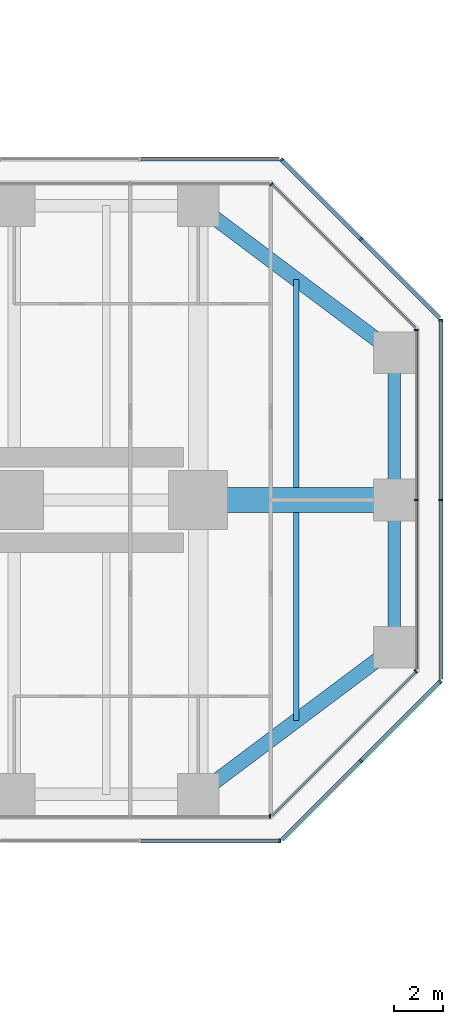
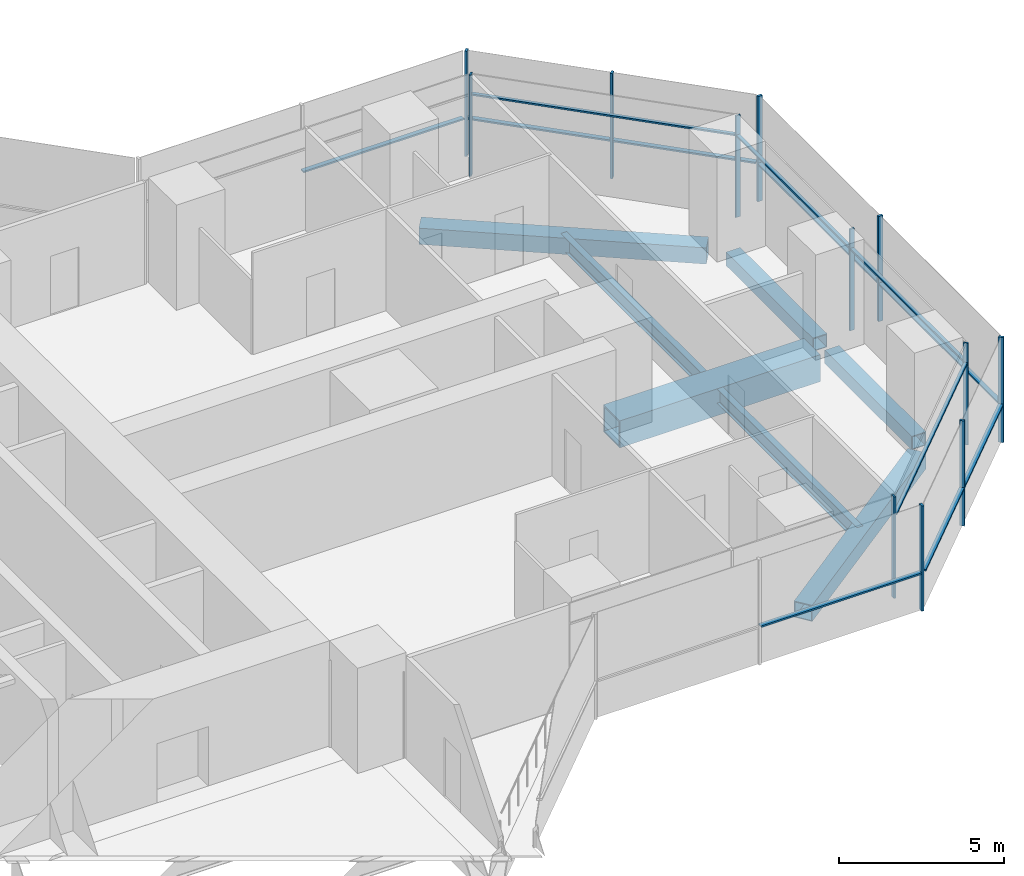
# One storey, part 11 of 20: 24 members, 7 beams, 9 elements without a shape of their own.
"""IFC4 building model written with IfcOpenShell, lengths in metres."""

from ifc_helpers import new_model, si_unit, direction, frame, origin, origin_2d, place, context, subcontext, project, spatial, rectangle, hollow_rectangle, i_section, extrude, material, material_profile, profile_set, type_object, element, aggregate, save


model = new_model("IFC4")

# Units and contexts
model_context = context("Model", 3, precision=1e-05, world=origin(), true_north=direction((0.0, 1.0)))
body_context = subcontext(model_context, "Body", "Model", "MODEL_VIEW")
ifc_project = project(units=[si_unit("LENGTHUNIT", "METRE"), si_unit("AREAUNIT", "SQUARE_METRE"), si_unit("VOLUMEUNIT", "CUBIC_METRE"), si_unit("PLANEANGLEUNIT", "RADIAN"), si_unit("MASSUNIT", "GRAM", prefix="KILO")], contexts=[model_context])

# Site, building, storey
site_placement = place(None, origin())
site = spatial("IfcSite", under=ifc_project, at=site_placement, CompositionType="ELEMENT")
building_placement = place(site_placement, origin())
building = spatial("IfcBuilding", under=site, at=building_placement, Name="Mizan Broadcast Tower", CompositionType="ELEMENT")
storey_placement = place(building_placement, frame((0.0, 0.0, 135.89990234375)))
storey = spatial("IfcBuildingStorey", under=building, at=storey_placement, Name="L30", CompositionType="ELEMENT", Elevation=135.89990234375)

# Beams
ifc_material_1 = material(Name="Steel S355", Category="steel")
ifc_material_profile_1 = material_profile(ifc_material_1, hollow_rectangle(XDim=0.5, YDim=0.5, WallThickness=0.030029296875, at=origin_2d()), Name="BOX 500x500x30")
ifc_profile_set_1 = profile_set([ifc_material_profile_1], Name="Steel S355")
beam_type_1 = type_object("IfcBeamType", Name="EDGE BEAM BOX 500x500x30", PredefinedType="SPANDREL", material=ifc_profile_set_1)
for number, where, z_axis, x_axis, name in (
    (1, (35.0, -5.639892578125, -0.3798828125), (0.0, 1.0, 0.0), (-1.0, 0.0, 0.0), "Edge beam BOX 500x500x30 L30 east arm"),
    (2, (35.0, 5.639892578125, -0.3798828125), (0.0, -1.0, 0.0), (1.0, 0.0, 0.0), "Edge beam BOX 500x500x30 L30 east arm"),
):
    element("IfcBeam", number, at=place(storey_placement, frame(where, z_axis=z_axis, x_axis=x_axis)), inside=storey, type_object=beam_type_1, Name=name, PredefinedType="SPANDREL", context=body_context, shape_type="SweptSolid", body=[
        extrude(hollow_rectangle(XDim=0.5, YDim=0.5, WallThickness=0.030029296875, at=origin_2d()), origin(), (0.0, 0.0, 1.0), 5.27978515625),
    ])
ifc_material_2 = material(Name="Steel S355", Category="steel")
ifc_material_profile_2 = material_profile(ifc_material_2, hollow_rectangle(XDim=0.60009765625, YDim=0.60009765625, WallThickness=0.030029296875, at=origin_2d()), Name="BOX 600x600x30")
ifc_profile_set_2 = profile_set([ifc_material_profile_2], Name="Steel S355")
beam_type_2 = type_object("IfcBeamType", Name="EDGE BEAM BOX 600x600x30", PredefinedType="SPANDREL", material=ifc_profile_set_2)
for number, where, z_axis, x_axis, name in (
    (3, (27.47998046875, -11.639892578125, -0.429931640625), (0.800013316712, 0.599982243973, 0.0), (-0.599982243973, 0.800013316712, 0.0), "Edge beam BOX 600x600x30 L30 east arm"),
    (4, (27.47998046875, 11.639892578125, -0.429931640625), (0.800013316712, -0.599982243973, 0.0), (0.599982243973, 0.800013316712, 0.0), "Edge beam BOX 600x600x30 L30 east arm"),
):
    element("IfcBeam", number, at=place(storey_placement, frame(where, z_axis=z_axis, x_axis=x_axis)), inside=storey, type_object=beam_type_2, Name=name, PredefinedType="SPANDREL", context=body_context, shape_type="SweptSolid", body=[
        extrude(hollow_rectangle(XDim=0.60009765625, YDim=0.60009765625, WallThickness=0.030029296875, at=origin_2d()), origin(), (0.0, 0.0, 1.0), 8.7998046875),
    ])
ifc_material_3 = material(Name="Steel S460", Category="steel")
ifc_material_profile_3 = material_profile(ifc_material_3, hollow_rectangle(XDim=1.0, YDim=1.0, WallThickness=0.06005859375, at=origin_2d()), Name="BOX 1000x1000x60")
ifc_profile_set_3 = profile_set([ifc_material_profile_3], Name="Steel S460")
beam_type_3 = type_object("IfcBeamType", Name="GIRDER BOX 1000x1000x60", PredefinedType="BEAM", material=ifc_profile_set_3)
beam_placement = place(storey_placement, frame((27.47998046875, 0.0, -0.6298828125), z_axis=(1.0, 0.0, 0.0), x_axis=(0.0, 1.0, 0.0)))
element("IfcBeam", 5, at=beam_placement, inside=storey, type_object=beam_type_3, Name="Girder BOX 1000x1000x60 L30 east arm", PredefinedType="BEAM", context=body_context, shape_type="SweptSolid", body=[
    extrude(hollow_rectangle(XDim=1.0, YDim=1.0, WallThickness=0.06005859375, at=origin_2d()), origin(), (0.0, 0.0, 1.0), 7.0400390625),
])

# Curtain wall, member
ifc_material_4 = material(Name="Aluminium framed glazing", Category="aluminium")
curtain_wall_type_1 = type_object("IfcCurtainWallType", Name="INNER SKIN MID ZONE", PredefinedType="USERDEFINED", material=ifc_material_4)
curtain_wall_1_placement = place(storey_placement, origin())
curtain_wall_1 = element("IfcCurtainWall", 6, at=curtain_wall_1_placement, inside=storey, type_object=curtain_wall_type_1, Name="Inner skin mid zone L30 E side", ObjectType="INNER SKIN MID ZONE", PredefinedType="USERDEFINED")
ifc_material_5 = material(Name="Aluminium, pale anodised", Category="aluminium")
ifc_material_profile_4 = material_profile(ifc_material_5, rectangle(XDim=0.159912109375, YDim=0.06005859375, at=origin_2d()), Name="MULLION 160x60")
ifc_profile_set_4 = profile_set([ifc_material_profile_4], Name="Aluminium, pale anodised")
member_type_1 = type_object("IfcMemberType", Name="INNER SKIN MULLION 60x160", PredefinedType="MULLION", material=ifc_profile_set_4)
member_1_placement = place(storey_placement, frame((29.928466796875, -12.89990234375, 0.0), z_axis=(0.0, 0.0, 1.0), x_axis=(0.0, 1.0, 0.0)))
member_1 = element("IfcMember", 7, at=member_1_placement, type_object=member_type_1, Name="Inner skin mid zone L30 E side mullion 3", PredefinedType="MULLION", context=body_context, shape_type="SweptSolid", body=[
    extrude(rectangle(XDim=0.159912109375, YDim=0.06005859375, at=origin_2d()), origin(), (0.0, 0.0, 1.0), 3.77001953125),
])
aggregate(curtain_wall_1, [member_1])

curtain_wall_2_placement = place(storey_placement, origin())
curtain_wall_2 = element("IfcCurtainWall", 8, at=curtain_wall_2_placement, inside=storey, type_object=curtain_wall_type_1, Name="Inner skin mid zone L30 E chamfer", ObjectType="INNER SKIN MID ZONE", PredefinedType="USERDEFINED")
member_2_placement = place(storey_placement, frame((35.87890625, -6.979736328125, 0.0), z_axis=(0.0, 0.0, 1.0), x_axis=(-0.707106781187, 0.707106781187, 0.0)))
member_2 = element("IfcMember", 9, at=member_2_placement, type_object=member_type_1, Name="Inner skin mid zone L30 E chamfer mullion 2", PredefinedType="MULLION", context=body_context, shape_type="SweptSolid", body=[
    extrude(rectangle(XDim=0.159912109375, YDim=0.06005859375, at=origin_2d()), origin(), (0.0, 0.0, 1.0), 3.77001953125),
])

# Curtain wall, members
curtain_wall_3_placement = place(storey_placement, origin())
curtain_wall_3 = element("IfcCurtainWall", 10, at=curtain_wall_3_placement, inside=storey, type_object=curtain_wall_type_1, Name="Inner skin mid zone L30 E end", ObjectType="INNER SKIN MID ZONE", PredefinedType="USERDEFINED")
member_3_placement = place(storey_placement, frame((35.89990234375, 0.0, 0.0), z_axis=(0.0, 0.0, 1.0), x_axis=(-1.0, 0.0, 0.0)))
member_3 = element("IfcMember", 11, at=member_3_placement, type_object=member_type_1, Name="Inner skin mid zone L30 E end mullion 2", PredefinedType="MULLION", context=body_context, shape_type="SweptSolid", body=[
    extrude(rectangle(XDim=0.159912109375, YDim=0.06005859375, at=origin_2d()), origin(), (0.0, 0.0, 1.0), 3.77001953125),
])
member_4_placement = place(storey_placement, frame((35.89990234375, 6.928466796875, 0.0), z_axis=(0.0, 0.0, 1.0), x_axis=(-1.0, 0.0, 0.0)))
member_4 = element("IfcMember", 12, at=member_4_placement, type_object=member_type_1, Name="Inner skin mid zone L30 E end mullion 3", PredefinedType="MULLION", context=body_context, shape_type="SweptSolid", body=[
    extrude(rectangle(XDim=0.159912109375, YDim=0.06005859375, at=origin_2d()), origin(), (0.0, 0.0, 1.0), 3.77001953125),
])

# Curtain wall, member
curtain_wall_4_placement = place(storey_placement, origin())
curtain_wall_4 = element("IfcCurtainWall", 13, at=curtain_wall_4_placement, inside=storey, type_object=curtain_wall_type_1, Name="Inner skin mid zone L30 E chamfer", ObjectType="INNER SKIN MID ZONE", PredefinedType="USERDEFINED")
member_5_placement = place(storey_placement, frame((29.979736328125, 12.87890625, 0.0), z_axis=(0.0, 0.0, 1.0), x_axis=(-0.707106781187, -0.707106781187, 0.0)))
member_5 = element("IfcMember", 14, at=member_5_placement, type_object=member_type_1, Name="Inner skin mid zone L30 E chamfer mullion 2", PredefinedType="MULLION", context=body_context, shape_type="SweptSolid", body=[
    extrude(rectangle(XDim=0.159912109375, YDim=0.06005859375, at=origin_2d()), origin(), (0.0, 0.0, 1.0), 3.77001953125),
])

# Member
ifc_material_6 = material(Name="Aluminium, pale anodised", Category="aluminium")
ifc_material_profile_5 = material_profile(ifc_material_6, rectangle(XDim=0.1201171875, YDim=0.06005859375, at=origin_2d()), Name="TRANSOM 120x60")
ifc_profile_set_5 = profile_set([ifc_material_profile_5], Name="Aluminium, pale anodised")
member_type_2 = type_object("IfcMemberType", Name="INNER SKIN TRANSOM 60x120", PredefinedType="USERDEFINED", material=ifc_profile_set_5)
member_6_placement = place(storey_placement, frame((30.0009765625, -12.857666015625, 3.030029296875), z_axis=(0.707106781187, 0.707106781187, 0.0), x_axis=(-0.707106781187, 0.707106781187, 0.0)))
member_6 = element("IfcMember", 15, at=member_6_placement, type_object=member_type_2, Name="Inner skin mid zone L30 E chamfer transom 1.1", ObjectType="TRANSOM", PredefinedType="USERDEFINED", context=body_context, shape_type="SweptSolid", body=[
    extrude(rectangle(XDim=0.1201171875, YDim=0.06005859375, at=origin_2d()), origin(), (0.0, 0.0, 1.0), 8.28271484375),
])

aggregate(curtain_wall_2, [member_2, member_6])

member_7_placement = place(storey_placement, frame((35.89990234375, -6.898681640625, 3.030029296875), z_axis=(0.0, 1.0, 0.0), x_axis=(-1.0, 0.0, 0.0)))
member_7 = element("IfcMember", 16, at=member_7_placement, type_object=member_type_2, Name="Inner skin mid zone L30 E end transom 1.1", ObjectType="TRANSOM", PredefinedType="USERDEFINED", context=body_context, shape_type="SweptSolid", body=[
    extrude(rectangle(XDim=0.1201171875, YDim=0.06005859375, at=origin_2d()), origin(), (0.0, 0.0, 1.0), 6.86865234375),
])

member_8_placement = place(storey_placement, frame((35.89990234375, 0.030029296875, 3.030029296875), z_axis=(0.0, 1.0, 0.0), x_axis=(-1.0, 0.0, 0.0)))
member_8 = element("IfcMember", 17, at=member_8_placement, type_object=member_type_2, Name="Inner skin mid zone L30 E end transom 2.1", ObjectType="TRANSOM", PredefinedType="USERDEFINED", context=body_context, shape_type="SweptSolid", body=[
    extrude(rectangle(XDim=0.1201171875, YDim=0.06005859375, at=origin_2d()), origin(), (0.0, 0.0, 1.0), 6.86865234375),
])

aggregate(curtain_wall_3, [member_3, member_4, member_7, member_8])

member_9_placement = place(storey_placement, frame((35.857666015625, 7.0009765625, 3.030029296875), z_axis=(-0.707106781187, 0.707106781187, 0.0), x_axis=(-0.707106781187, -0.707106781187, 0.0)))
member_9 = element("IfcMember", 18, at=member_9_placement, type_object=member_type_2, Name="Inner skin mid zone L30 E chamfer transom 1.1", ObjectType="TRANSOM", PredefinedType="USERDEFINED", context=body_context, shape_type="SweptSolid", body=[
    extrude(rectangle(XDim=0.1201171875, YDim=0.06005859375, at=origin_2d()), origin(), (0.0, 0.0, 1.0), 8.28271484375),
])

aggregate(curtain_wall_4, [member_5, member_9])

# Curtain wall, members
ifc_material_7 = material(Name="Aluminium framed glazing", Category="aluminium")
curtain_wall_type_2 = type_object("IfcCurtainWallType", Name="OUTER SKIN", PredefinedType="USERDEFINED", material=ifc_material_7)
curtain_wall_5_placement = place(storey_placement, origin())
curtain_wall_5 = element("IfcCurtainWall", 19, at=curtain_wall_5_placement, inside=storey, type_object=curtain_wall_type_2, Name="Outer skin L30 E chamfer", ObjectType="OUTER SKIN", PredefinedType="USERDEFINED")
ifc_material_8 = material(Name="Aluminium, pale anodised", Category="aluminium")
ifc_material_profile_6 = material_profile(ifc_material_8, rectangle(XDim=0.159912109375, YDim=0.080078125, at=origin_2d()), Name="MULLION 160x80")
ifc_profile_set_6 = profile_set([ifc_material_profile_6], Name="Aluminium, pale anodised")
member_type_3 = type_object("IfcMemberType", Name="OUTER SKIN MULLION 80x160", PredefinedType="MULLION", material=ifc_profile_set_6)
member_10_placement = place(storey_placement, frame((33.636474609375, -10.636474609375, 0.0), z_axis=(0.0, 0.0, 1.0), x_axis=(-0.707106781187, 0.707106781187, 0.0)))
member_10 = element("IfcMember", 20, at=member_10_placement, type_object=member_type_3, Name="Outer skin L30 E chamfer mullion 2", PredefinedType="MULLION", context=body_context, shape_type="SweptSolid", body=[
    extrude(rectangle(XDim=0.159912109375, YDim=0.080078125, at=origin_2d()), origin(), (0.0, 0.0, 1.0), 3.900146484375),
])
member_11_placement = place(storey_placement, frame((36.871826171875, -7.401123046875, 0.0), z_axis=(0.0, 0.0, 1.0), x_axis=(-0.707106781187, 0.707106781187, 0.0)))
member_11 = element("IfcMember", 21, at=member_11_placement, type_object=member_type_3, Name="Outer skin L30 E chamfer mullion 3", PredefinedType="MULLION", context=body_context, shape_type="SweptSolid", body=[
    extrude(rectangle(XDim=0.159912109375, YDim=0.080078125, at=origin_2d()), origin(), (0.0, 0.0, 1.0), 3.900146484375),
])

curtain_wall_6_placement = place(storey_placement, origin())
curtain_wall_6 = element("IfcCurtainWall", 22, at=curtain_wall_6_placement, inside=storey, type_object=curtain_wall_type_2, Name="Outer skin L30 E end", ObjectType="OUTER SKIN", PredefinedType="USERDEFINED")
member_12_placement = place(storey_placement, frame((36.89990234375, 0.0, 0.0), z_axis=(0.0, 0.0, 1.0), x_axis=(-1.0, 0.0, 0.0)))
member_12 = element("IfcMember", 23, at=member_12_placement, type_object=member_type_3, Name="Outer skin L30 E end mullion 2", PredefinedType="MULLION", context=body_context, shape_type="SweptSolid", body=[
    extrude(rectangle(XDim=0.159912109375, YDim=0.080078125, at=origin_2d()), origin(), (0.0, 0.0, 1.0), 3.900146484375),
])
member_13_placement = place(storey_placement, frame((36.89990234375, 7.332763671875, 0.0), z_axis=(0.0, 0.0, 1.0), x_axis=(-1.0, 0.0, 0.0)))
member_13 = element("IfcMember", 24, at=member_13_placement, type_object=member_type_3, Name="Outer skin L30 E end mullion 3", PredefinedType="MULLION", context=body_context, shape_type="SweptSolid", body=[
    extrude(rectangle(XDim=0.159912109375, YDim=0.080078125, at=origin_2d()), origin(), (0.0, 0.0, 1.0), 3.900146484375),
])

curtain_wall_7_placement = place(storey_placement, origin())
curtain_wall_7 = element("IfcCurtainWall", 25, at=curtain_wall_7_placement, inside=storey, type_object=curtain_wall_type_2, Name="Outer skin L30 E chamfer", ObjectType="OUTER SKIN", PredefinedType="USERDEFINED")
member_14_placement = place(storey_placement, frame((33.636474609375, 10.636474609375, 0.0), z_axis=(0.0, 0.0, 1.0), x_axis=(-0.707106781187, -0.707106781187, 0.0)))
member_14 = element("IfcMember", 26, at=member_14_placement, type_object=member_type_3, Name="Outer skin L30 E chamfer mullion 2", PredefinedType="MULLION", context=body_context, shape_type="SweptSolid", body=[
    extrude(rectangle(XDim=0.159912109375, YDim=0.080078125, at=origin_2d()), origin(), (0.0, 0.0, 1.0), 3.900146484375),
])
member_15_placement = place(storey_placement, frame((30.401123046875, 13.871826171875, 0.0), z_axis=(0.0, 0.0, 1.0), x_axis=(-0.707106781187, -0.707106781187, 0.0)))
member_15 = element("IfcMember", 27, at=member_15_placement, type_object=member_type_3, Name="Outer skin L30 E chamfer mullion 3", PredefinedType="MULLION", context=body_context, shape_type="SweptSolid", body=[
    extrude(rectangle(XDim=0.159912109375, YDim=0.080078125, at=origin_2d()), origin(), (0.0, 0.0, 1.0), 3.900146484375),
])

# Curtain wall, member
curtain_wall_8_placement = place(storey_placement, origin())
curtain_wall_8 = element("IfcCurtainWall", 28, at=curtain_wall_8_placement, inside=storey, type_object=curtain_wall_type_2, Name="Outer skin L30 E side", ObjectType="OUTER SKIN", PredefinedType="USERDEFINED")
member_16_placement = place(storey_placement, frame((30.332763671875, -13.89990234375, 0.0), z_axis=(0.0, 0.0, 1.0), x_axis=(0.0, 1.0, 0.0)))
member_16 = element("IfcMember", 29, at=member_16_placement, type_object=member_type_3, Name="Outer skin L30 E side mullion 3", PredefinedType="MULLION", context=body_context, shape_type="SweptSolid", body=[
    extrude(rectangle(XDim=0.159912109375, YDim=0.080078125, at=origin_2d()), origin(), (0.0, 0.0, 1.0), 3.900146484375),
])

# Member
ifc_material_9 = material(Name="Aluminium, pale anodised", Category="aluminium")
ifc_material_profile_7 = material_profile(ifc_material_9, rectangle(XDim=0.159912109375, YDim=0.06005859375, at=origin_2d()), Name="TRANSOM 160x60")
ifc_profile_set_7 = profile_set([ifc_material_profile_7], Name="Aluminium, pale anodised")
member_type_4 = type_object("IfcMemberType", Name="OUTER SKIN TRANSOM 60x160", PredefinedType="USERDEFINED", material=ifc_profile_set_7)
member_17_placement = place(storey_placement, frame((30.429443359375, -13.843505859375, 1.400146484375), z_axis=(0.707106781187, 0.707106781187, 0.0), x_axis=(-0.707106781187, 0.707106781187, 0.0)))
member_17 = element("IfcMember", 30, at=member_17_placement, type_object=member_type_4, Name="Outer skin L30 E chamfer transom 1.1", ObjectType="TRANSOM", PredefinedType="USERDEFINED", context=body_context, shape_type="SweptSolid", body=[
    extrude(rectangle(XDim=0.159912109375, YDim=0.06005859375, at=origin_2d()), origin(), (0.0, 0.0, 1.0), 4.495361328125),
])

member_18_placement = place(storey_placement, frame((33.664794921875, -10.608154296875, 1.400146484375), z_axis=(0.707106781187, 0.707106781187, 0.0), x_axis=(-0.707106781187, 0.707106781187, 0.0)))
member_18 = element("IfcMember", 31, at=member_18_placement, type_object=member_type_4, Name="Outer skin L30 E chamfer transom 2.1", ObjectType="TRANSOM", PredefinedType="USERDEFINED", context=body_context, shape_type="SweptSolid", body=[
    extrude(rectangle(XDim=0.159912109375, YDim=0.06005859375, at=origin_2d()), origin(), (0.0, 0.0, 1.0), 4.495361328125),
])

aggregate(curtain_wall_5, [member_10, member_11, member_17, member_18])

member_19_placement = place(storey_placement, frame((36.89990234375, -7.292724609375, 1.400146484375), z_axis=(0.0, 1.0, 0.0), x_axis=(-1.0, 0.0, 0.0)))
member_19 = element("IfcMember", 32, at=member_19_placement, type_object=member_type_4, Name="Outer skin L30 E end transom 1.1", ObjectType="TRANSOM", PredefinedType="USERDEFINED", context=body_context, shape_type="SweptSolid", body=[
    extrude(rectangle(XDim=0.159912109375, YDim=0.06005859375, at=origin_2d()), origin(), (0.0, 0.0, 1.0), 7.252685546875),
])

member_20_placement = place(storey_placement, frame((36.89990234375, 0.0400390625, 1.400146484375), z_axis=(0.0, 1.0, 0.0), x_axis=(-1.0, 0.0, 0.0)))
member_20 = element("IfcMember", 33, at=member_20_placement, type_object=member_type_4, Name="Outer skin L30 E end transom 2.1", ObjectType="TRANSOM", PredefinedType="USERDEFINED", context=body_context, shape_type="SweptSolid", body=[
    extrude(rectangle(XDim=0.159912109375, YDim=0.06005859375, at=origin_2d()), origin(), (0.0, 0.0, 1.0), 7.252685546875),
])

aggregate(curtain_wall_6, [member_12, member_13, member_19, member_20])

member_21_placement = place(storey_placement, frame((36.843505859375, 7.429443359375, 1.400146484375), z_axis=(-0.707106781187, 0.707106781187, 0.0), x_axis=(-0.707106781187, -0.707106781187, 0.0)))
member_21 = element("IfcMember", 34, at=member_21_placement, type_object=member_type_4, Name="Outer skin L30 E chamfer transom 1.1", ObjectType="TRANSOM", PredefinedType="USERDEFINED", context=body_context, shape_type="SweptSolid", body=[
    extrude(rectangle(XDim=0.159912109375, YDim=0.06005859375, at=origin_2d()), origin(), (0.0, 0.0, 1.0), 4.495361328125),
])

member_22_placement = place(storey_placement, frame((33.608154296875, 10.664794921875, 1.400146484375), z_axis=(-0.707106781187, 0.707106781187, 0.0), x_axis=(-0.707106781187, -0.707106781187, 0.0)))
member_22 = element("IfcMember", 35, at=member_22_placement, type_object=member_type_4, Name="Outer skin L30 E chamfer transom 2.1", ObjectType="TRANSOM", PredefinedType="USERDEFINED", context=body_context, shape_type="SweptSolid", body=[
    extrude(rectangle(XDim=0.159912109375, YDim=0.06005859375, at=origin_2d()), origin(), (0.0, 0.0, 1.0), 4.495361328125),
])

aggregate(curtain_wall_7, [member_14, member_15, member_21, member_22])

# Curtain wall, member
curtain_wall_9_placement = place(storey_placement, origin())
curtain_wall_9 = element("IfcCurtainWall", 36, at=curtain_wall_9_placement, inside=storey, type_object=curtain_wall_type_2, Name="Outer skin L30 E side", ObjectType="OUTER SKIN", PredefinedType="USERDEFINED")
member_23_placement = place(storey_placement, frame((30.292724609375, 13.89990234375, 1.400146484375), z_axis=(-1.0, 0.0, 0.0), x_axis=(0.0, -1.0, 0.0)))
member_23 = element("IfcMember", 37, at=member_23_placement, type_object=member_type_4, Name="Outer skin L30 E side transom 1.1", ObjectType="TRANSOM", PredefinedType="USERDEFINED", context=body_context, shape_type="SweptSolid", body=[
    extrude(rectangle(XDim=0.159912109375, YDim=0.06005859375, at=origin_2d()), origin(), (0.0, 0.0, 1.0), 5.6298828125),
])
aggregate(curtain_wall_9, [member_23])

# Member
member_24_placement = place(storey_placement, frame((24.662841796875, -13.89990234375, 1.400146484375), z_axis=(1.0, 0.0, 0.0), x_axis=(0.0, 1.0, 0.0)))
member_24 = element("IfcMember", 38, at=member_24_placement, type_object=member_type_4, Name="Outer skin L30 E side transom 2.1", ObjectType="TRANSOM", PredefinedType="USERDEFINED", context=body_context, shape_type="SweptSolid", body=[
    extrude(rectangle(XDim=0.159912109375, YDim=0.06005859375, at=origin_2d()), origin(), (0.0, 0.0, 1.0), 5.6298828125),
])

aggregate(curtain_wall_8, [member_16, member_24])

# Beams
ifc_material_10 = material(Name="Steel S355", Category="steel")
ifc_material_profile_8 = material_profile(ifc_material_10, i_section(OverallWidth=0.2099609375, OverallDepth=0.550048828125, WebThickness=0.010986328125, FlangeThickness=0.01708984375, FilletRadius=0.02392578125, at=origin_2d()), Name="IPE 550")
ifc_profile_set_8 = profile_set([ifc_material_profile_8], Name="Steel S355")
beam_type_4 = type_object("IfcBeamType", Name="SECONDARY BEAM IPE 550", PredefinedType="JOIST", material=ifc_profile_set_8)
for number, where, z_axis, x_axis, name in (
    (39, (31.0, -9.0, -0.40478515625), (0.0, 1.0, 0.0), (-1.0, 0.0, 0.0), "Secondary beam IPE 550 L30 east arm"),
    (40, (31.0, 9.0, -0.40478515625), (0.0, -1.0, 0.0), (1.0, 0.0, 0.0), "Secondary beam IPE 550 L30 east arm"),
):
    element("IfcBeam", number, at=place(storey_placement, frame(where, z_axis=z_axis, x_axis=x_axis)), inside=storey, type_object=beam_type_4, Name=name, PredefinedType="JOIST", context=body_context, shape_type="SweptSolid", body=[
        extrude(i_section(OverallWidth=0.2099609375, OverallDepth=0.550048828125, WebThickness=0.010986328125, FlangeThickness=0.01708984375, FilletRadius=0.02392578125, at=origin_2d()), origin(), (0.0, 0.0, 1.0), 8.5),
    ])

save(model, "model.ifc")
